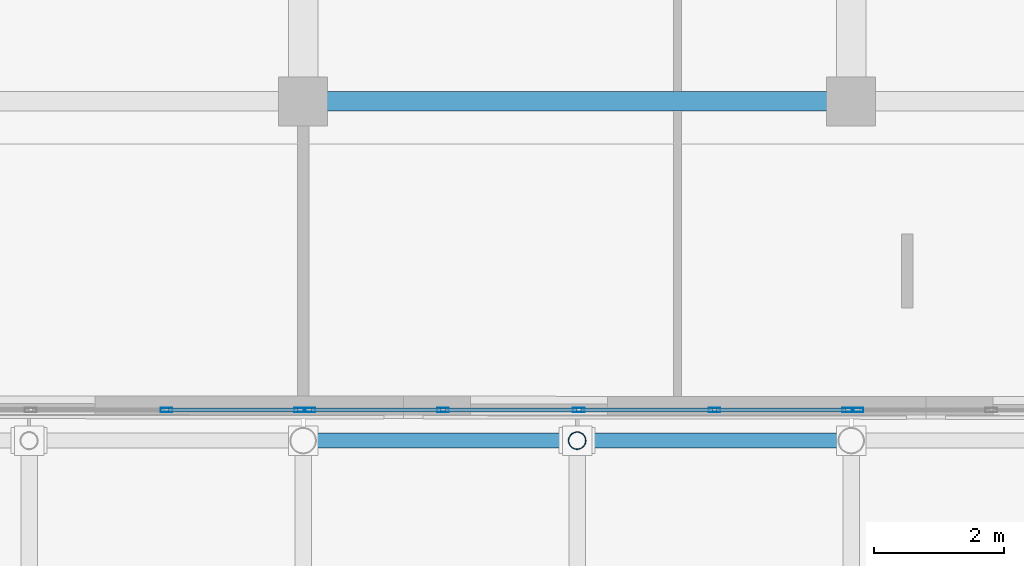
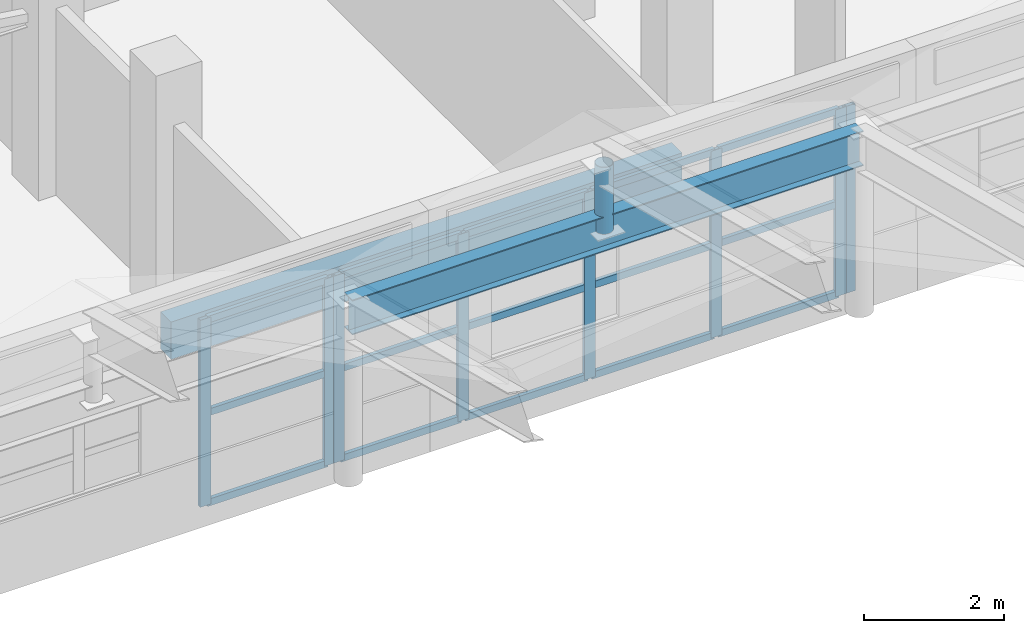
# One storey, part 84 of 184: 24 members, 2 beams, 3 elements without a shape of their own.
"""IFC4 building model written with IfcOpenShell, lengths in metres."""

from ifc_helpers import new_model, si_unit, direction, frame, origin, origin_2d, place, context, subcontext, project, spatial, rectangle, hollow_rectangle, hollow_circle, i_section, extrude, material, material_profile, profile_set, type_object, element, aggregate, save


model = new_model("IFC4")

# Units and contexts
model_context = context("Model", 3, precision=1e-05, world=origin(), true_north=direction((0.0, 1.0)))
body_context = subcontext(model_context, "Body", "Model", "MODEL_VIEW")
ifc_project = project(units=[si_unit("LENGTHUNIT", "METRE"), si_unit("AREAUNIT", "SQUARE_METRE"), si_unit("VOLUMEUNIT", "CUBIC_METRE"), si_unit("PLANEANGLEUNIT", "RADIAN"), si_unit("MASSUNIT", "GRAM", prefix="KILO")], contexts=[model_context])

# Site, building, storey
site_placement = place(None, origin())
site = spatial("IfcSite", under=ifc_project, at=site_placement, CompositionType="ELEMENT")
building_placement = place(site_placement, origin())
building = spatial("IfcBuilding", under=site, at=building_placement, Name="Selatvlak General Hospital", CompositionType="ELEMENT")
storey_placement = place(building_placement, frame((0.0, 0.0, 15.0)))
storey = spatial("IfcBuildingStorey", under=building, at=storey_placement, Name="L03", CompositionType="ELEMENT", Elevation=15.0)

# Beams
ifc_material_1 = material(Name="Steel S355", Category="steel")
ifc_material_profile_1 = material_profile(ifc_material_1, i_section(OverallWidth=0.228271484375, OverallDepth=0.607666015625, WebThickness=0.010986328125, FlangeThickness=0.017333984375, at=origin_2d()), Name="UB 610x229x113")
ifc_profile_set_1 = profile_set([ifc_material_profile_1], Name="Steel S355")
beam_type_1 = type_object("IfcBeamType", Name="BM-RF4", PredefinedType="BEAM", material=ifc_profile_set_1)
beam_1_placement = place(storey_placement, frame((48.0, 83.449951171875, 2.87109375), z_axis=(1.0, 0.0, 0.0), x_axis=(0.0, 1.0, 0.0)))
element("IfcBeam", 1, at=beam_1_placement, inside=storey, type_object=beam_type_1, Name="Folded roof N valley girder 4", PredefinedType="BEAM", context=body_context, shape_type="SweptSolid", body=[
    extrude(i_section(OverallWidth=0.228271484375, OverallDepth=0.607666015625, WebThickness=0.010986328125, FlangeThickness=0.017333984375, at=origin_2d()), origin(), (0.0, 0.0, 1.0), 8.39990234375),
])
ifc_material_2 = material(Name="Concrete C40/50", Category="concrete")
ifc_material_profile_2 = material_profile(ifc_material_2, rectangle(XDim=0.300048828125, YDim=0.64990234375, at=origin_2d()), Name="RC-SP 300x650")
ifc_profile_set_2 = profile_set([ifc_material_profile_2], Name="Concrete C40/50")
beam_type_2 = type_object("IfcBeamType", Name="BM-SP1", PredefinedType="SPANDREL", material=ifc_profile_set_2)
beam_2_placement = place(storey_placement, frame((48.0, 88.64990234375, -0.6650390625), z_axis=(1.0, 0.0, 0.0), x_axis=(0.0, 1.0, 0.0)))
element("IfcBeam", 2, at=beam_2_placement, inside=storey, type_object=beam_type_2, Name="Beam BMR-L03-1186", PredefinedType="SPANDREL", context=body_context, shape_type="SweptSolid", body=[
    extrude(rectangle(XDim=0.300048828125, YDim=0.64990234375, at=origin_2d()), origin(), (0.0, 0.0, 1.0), 8.39990234375),
])

# Curtain wall, members
ifc_material_3 = material(Name="Solar-control Low-E double glazing", Category="glass")
curtain_wall_type = type_object("IfcCurtainWallType", Name="CW-CW-04", PredefinedType="USERDEFINED", material=ifc_material_3)
curtain_wall_1_placement = place(storey_placement, origin())
curtain_wall_1 = element("IfcCurtainWall", 3, at=curtain_wall_1_placement, inside=storey, type_object=curtain_wall_type, Name="Glazed facade curtain wall CW-L03-0718", ObjectType="STICK GLAZING WALL", PredefinedType="USERDEFINED")
ifc_material_4 = material(Name="Dark anodised aluminium mullion", Category="aluminium")
ifc_material_profile_3 = material_profile(ifc_material_4, hollow_rectangle(XDim=0.06494140625, YDim=0.179931640625, WallThickness=0.00439453125, at=origin_2d()), Name="AL-MUL 65x180x4.5")
ifc_profile_set_3 = profile_set([ifc_material_profile_3], Name="Dark anodised aluminium mullion")
member_type_1 = type_object("IfcMemberType", Name="CWM-02", PredefinedType="MULLION", material=ifc_profile_set_3)
member_1_placement = place(storey_placement, frame((45.905029296875, 83.919921875, 0.0), z_axis=(0.0, 0.0, 1.0), x_axis=(0.0, 1.0, 0.0)))
member_1 = element("IfcMember", 4, at=member_1_placement, type_object=member_type_1, Name="CW-04 mullion 4", PredefinedType="MULLION", context=body_context, shape_type="SweptSolid", body=[
    extrude(hollow_rectangle(XDim=0.06494140625, YDim=0.179931640625, WallThickness=0.00439453125, at=origin_2d()), origin(), (0.0, 0.0, 1.0), 3.25),
])
member_2_placement = place(storey_placement, frame((47.952392578125, 83.919921875, 0.0), z_axis=(0.0, 0.0, 1.0), x_axis=(0.0, 1.0, 0.0)))
member_2 = element("IfcMember", 5, at=member_2_placement, type_object=member_type_1, Name="CW-04 mullion 5", PredefinedType="MULLION", context=body_context, shape_type="SweptSolid", body=[
    extrude(hollow_rectangle(XDim=0.06494140625, YDim=0.179931640625, WallThickness=0.00439453125, at=origin_2d()), origin(), (0.0, 0.0, 1.0), 3.25),
])

curtain_wall_2_placement = place(storey_placement, origin())
curtain_wall_2 = element("IfcCurtainWall", 6, at=curtain_wall_2_placement, inside=storey, type_object=curtain_wall_type, Name="Glazed facade curtain wall CW-L03-0719", ObjectType="STICK GLAZING WALL", PredefinedType="USERDEFINED")
member_3_placement = place(storey_placement, frame((48.097412109375, 83.919921875, 0.0), z_axis=(0.0, 0.0, 1.0), x_axis=(0.0, 1.0, 0.0)))
member_3 = element("IfcMember", 7, at=member_3_placement, type_object=member_type_1, Name="CW-04 mullion 1", PredefinedType="MULLION", context=body_context, shape_type="SweptSolid", body=[
    extrude(hollow_rectangle(XDim=0.06494140625, YDim=0.179931640625, WallThickness=0.00439453125, at=origin_2d()), origin(), (0.0, 0.0, 1.0), 3.25),
])
member_4_placement = place(storey_placement, frame((50.14501953125, 83.919921875, 0.0), z_axis=(0.0, 0.0, 1.0), x_axis=(0.0, 1.0, 0.0)))
member_4 = element("IfcMember", 8, at=member_4_placement, type_object=member_type_1, Name="CW-04 mullion 2", PredefinedType="MULLION", context=body_context, shape_type="SweptSolid", body=[
    extrude(hollow_rectangle(XDim=0.06494140625, YDim=0.179931640625, WallThickness=0.00439453125, at=origin_2d()), origin(), (0.0, 0.0, 1.0), 3.25),
])
member_5_placement = place(storey_placement, frame((52.22509765625, 83.919921875, 0.0), z_axis=(0.0, 0.0, 1.0), x_axis=(0.0, 1.0, 0.0)))
member_5 = element("IfcMember", 9, at=member_5_placement, type_object=member_type_1, Name="CW-04 mullion 3", PredefinedType="MULLION", context=body_context, shape_type="SweptSolid", body=[
    extrude(hollow_rectangle(XDim=0.06494140625, YDim=0.179931640625, WallThickness=0.00439453125, at=origin_2d()), origin(), (0.0, 0.0, 1.0), 3.25),
])
member_6_placement = place(storey_placement, frame((54.304931640625, 83.919921875, 0.0), z_axis=(0.0, 0.0, 1.0), x_axis=(0.0, 1.0, 0.0)))
member_6 = element("IfcMember", 10, at=member_6_placement, type_object=member_type_1, Name="CW-04 mullion 4", PredefinedType="MULLION", context=body_context, shape_type="SweptSolid", body=[
    extrude(hollow_rectangle(XDim=0.06494140625, YDim=0.179931640625, WallThickness=0.00439453125, at=origin_2d()), origin(), (0.0, 0.0, 1.0), 3.25),
])
member_7_placement = place(storey_placement, frame((56.3525390625, 83.919921875, 0.0), z_axis=(0.0, 0.0, 1.0), x_axis=(0.0, 1.0, 0.0)))
member_7 = element("IfcMember", 11, at=member_7_placement, type_object=member_type_1, Name="CW-04 mullion 5", PredefinedType="MULLION", context=body_context, shape_type="SweptSolid", body=[
    extrude(hollow_rectangle(XDim=0.06494140625, YDim=0.179931640625, WallThickness=0.00439453125, at=origin_2d()), origin(), (0.0, 0.0, 1.0), 3.25),
])

# Curtain wall, member
curtain_wall_3_placement = place(storey_placement, origin())
curtain_wall_3 = element("IfcCurtainWall", 12, at=curtain_wall_3_placement, inside=storey, type_object=curtain_wall_type, Name="Glazed facade curtain wall CW-L03-0720", ObjectType="STICK GLAZING WALL", PredefinedType="USERDEFINED")
member_8_placement = place(storey_placement, frame((56.49755859375, 83.919921875, 0.0), z_axis=(0.0, 0.0, 1.0), x_axis=(0.0, 1.0, 0.0)))
member_8 = element("IfcMember", 13, at=member_8_placement, type_object=member_type_1, Name="CW-04 mullion 1", PredefinedType="MULLION", context=body_context, shape_type="SweptSolid", body=[
    extrude(hollow_rectangle(XDim=0.06494140625, YDim=0.179931640625, WallThickness=0.00439453125, at=origin_2d()), origin(), (0.0, 0.0, 1.0), 3.25),
])
aggregate(curtain_wall_3, [member_8])

# Member
ifc_material_profile_4 = material_profile(ifc_material_4, hollow_rectangle(XDim=0.06494140625, YDim=0.1201171875, WallThickness=0.00390625, at=origin_2d()), Name="AL-TRN 65x120x4")
ifc_profile_set_4 = profile_set([ifc_material_profile_4], Name="Dark anodised aluminium mullion")
member_type_2 = type_object("IfcMemberType", Name="CWT-01", PredefinedType="USERDEFINED", material=ifc_profile_set_4)
member_9_placement = place(storey_placement, frame((45.9375, 83.919921875, 0.032470703125), z_axis=(1.0, 0.0, 0.0), x_axis=(0.0, 1.0, 0.0)))
member_9 = element("IfcMember", 14, at=member_9_placement, type_object=member_type_2, Name="CW-04 transom 4.1", ObjectType="TRANSOM", PredefinedType="USERDEFINED", context=body_context, shape_type="SweptSolid", body=[
    extrude(hollow_rectangle(XDim=0.06494140625, YDim=0.1201171875, WallThickness=0.00390625, at=origin_2d()), origin(), (0.0, 0.0, 1.0), 1.982421875),
])

member_10_placement = place(storey_placement, frame((45.9375, 83.919921875, 1.60009765625), z_axis=(1.0, 0.0, 0.0), x_axis=(0.0, 1.0, 0.0)))
member_10 = element("IfcMember", 15, at=member_10_placement, type_object=member_type_2, Name="CW-04 transom 4.2", ObjectType="TRANSOM", PredefinedType="USERDEFINED", context=body_context, shape_type="SweptSolid", body=[
    extrude(hollow_rectangle(XDim=0.06494140625, YDim=0.1201171875, WallThickness=0.00390625, at=origin_2d()), origin(), (0.0, 0.0, 1.0), 1.982421875),
])

member_11_placement = place(storey_placement, frame((45.9375, 83.919921875, 3.217529296875), z_axis=(1.0, 0.0, 0.0), x_axis=(0.0, 1.0, 0.0)))
member_11 = element("IfcMember", 16, at=member_11_placement, type_object=member_type_2, Name="CW-04 transom 4.3", ObjectType="TRANSOM", PredefinedType="USERDEFINED", context=body_context, shape_type="SweptSolid", body=[
    extrude(hollow_rectangle(XDim=0.06494140625, YDim=0.1201171875, WallThickness=0.00390625, at=origin_2d()), origin(), (0.0, 0.0, 1.0), 1.982421875),
])

aggregate(curtain_wall_1, [member_1, member_2, member_9, member_10, member_11])

member_12_placement = place(storey_placement, frame((48.1298828125, 83.919921875, 0.032470703125), z_axis=(1.0, 0.0, 0.0), x_axis=(0.0, 1.0, 0.0)))
member_12 = element("IfcMember", 17, at=member_12_placement, type_object=member_type_2, Name="CW-04 transom 1.1", ObjectType="TRANSOM", PredefinedType="USERDEFINED", context=body_context, shape_type="SweptSolid", body=[
    extrude(hollow_rectangle(XDim=0.06494140625, YDim=0.1201171875, WallThickness=0.00390625, at=origin_2d()), origin(), (0.0, 0.0, 1.0), 1.982666015625),
])

member_13_placement = place(storey_placement, frame((48.1298828125, 83.919921875, 1.60009765625), z_axis=(1.0, 0.0, 0.0), x_axis=(0.0, 1.0, 0.0)))
member_13 = element("IfcMember", 18, at=member_13_placement, type_object=member_type_2, Name="CW-04 transom 1.2", ObjectType="TRANSOM", PredefinedType="USERDEFINED", context=body_context, shape_type="SweptSolid", body=[
    extrude(hollow_rectangle(XDim=0.06494140625, YDim=0.1201171875, WallThickness=0.00390625, at=origin_2d()), origin(), (0.0, 0.0, 1.0), 1.982666015625),
])

member_14_placement = place(storey_placement, frame((48.1298828125, 83.919921875, 3.217529296875), z_axis=(1.0, 0.0, 0.0), x_axis=(0.0, 1.0, 0.0)))
member_14 = element("IfcMember", 19, at=member_14_placement, type_object=member_type_2, Name="CW-04 transom 1.3", ObjectType="TRANSOM", PredefinedType="USERDEFINED", context=body_context, shape_type="SweptSolid", body=[
    extrude(hollow_rectangle(XDim=0.06494140625, YDim=0.1201171875, WallThickness=0.00390625, at=origin_2d()), origin(), (0.0, 0.0, 1.0), 1.982666015625),
])

member_15_placement = place(storey_placement, frame((50.177490234375, 83.919921875, 0.032470703125), z_axis=(1.0, 0.0, 0.0), x_axis=(0.0, 1.0, 0.0)))
member_15 = element("IfcMember", 20, at=member_15_placement, type_object=member_type_2, Name="CW-04 transom 2.1", ObjectType="TRANSOM", PredefinedType="USERDEFINED", context=body_context, shape_type="SweptSolid", body=[
    extrude(hollow_rectangle(XDim=0.06494140625, YDim=0.1201171875, WallThickness=0.00390625, at=origin_2d()), origin(), (0.0, 0.0, 1.0), 2.014892578125),
])

member_16_placement = place(storey_placement, frame((50.177490234375, 83.919921875, 1.60009765625), z_axis=(1.0, 0.0, 0.0), x_axis=(0.0, 1.0, 0.0)))
member_16 = element("IfcMember", 21, at=member_16_placement, type_object=member_type_2, Name="CW-04 transom 2.2", ObjectType="TRANSOM", PredefinedType="USERDEFINED", context=body_context, shape_type="SweptSolid", body=[
    extrude(hollow_rectangle(XDim=0.06494140625, YDim=0.1201171875, WallThickness=0.00390625, at=origin_2d()), origin(), (0.0, 0.0, 1.0), 2.014892578125),
])

member_17_placement = place(storey_placement, frame((50.177490234375, 83.919921875, 3.217529296875), z_axis=(1.0, 0.0, 0.0), x_axis=(0.0, 1.0, 0.0)))
member_17 = element("IfcMember", 22, at=member_17_placement, type_object=member_type_2, Name="CW-04 transom 2.3", ObjectType="TRANSOM", PredefinedType="USERDEFINED", context=body_context, shape_type="SweptSolid", body=[
    extrude(hollow_rectangle(XDim=0.06494140625, YDim=0.1201171875, WallThickness=0.00390625, at=origin_2d()), origin(), (0.0, 0.0, 1.0), 2.014892578125),
])

member_18_placement = place(storey_placement, frame((52.257568359375, 83.919921875, 0.032470703125), z_axis=(1.0, 0.0, 0.0), x_axis=(0.0, 1.0, 0.0)))
member_18 = element("IfcMember", 23, at=member_18_placement, type_object=member_type_2, Name="CW-04 transom 3.1", ObjectType="TRANSOM", PredefinedType="USERDEFINED", context=body_context, shape_type="SweptSolid", body=[
    extrude(hollow_rectangle(XDim=0.06494140625, YDim=0.1201171875, WallThickness=0.00390625, at=origin_2d()), origin(), (0.0, 0.0, 1.0), 2.014892578125),
])

member_19_placement = place(storey_placement, frame((52.257568359375, 83.919921875, 1.60009765625), z_axis=(1.0, 0.0, 0.0), x_axis=(0.0, 1.0, 0.0)))
member_19 = element("IfcMember", 24, at=member_19_placement, type_object=member_type_2, Name="CW-04 transom 3.2", ObjectType="TRANSOM", PredefinedType="USERDEFINED", context=body_context, shape_type="SweptSolid", body=[
    extrude(hollow_rectangle(XDim=0.06494140625, YDim=0.1201171875, WallThickness=0.00390625, at=origin_2d()), origin(), (0.0, 0.0, 1.0), 2.014892578125),
])

member_20_placement = place(storey_placement, frame((52.257568359375, 83.919921875, 3.217529296875), z_axis=(1.0, 0.0, 0.0), x_axis=(0.0, 1.0, 0.0)))
member_20 = element("IfcMember", 25, at=member_20_placement, type_object=member_type_2, Name="CW-04 transom 3.3", ObjectType="TRANSOM", PredefinedType="USERDEFINED", context=body_context, shape_type="SweptSolid", body=[
    extrude(hollow_rectangle(XDim=0.06494140625, YDim=0.1201171875, WallThickness=0.00390625, at=origin_2d()), origin(), (0.0, 0.0, 1.0), 2.014892578125),
])

member_21_placement = place(storey_placement, frame((54.33740234375, 83.919921875, 0.032470703125), z_axis=(1.0, 0.0, 0.0), x_axis=(0.0, 1.0, 0.0)))
member_21 = element("IfcMember", 26, at=member_21_placement, type_object=member_type_2, Name="CW-04 transom 4.1", ObjectType="TRANSOM", PredefinedType="USERDEFINED", context=body_context, shape_type="SweptSolid", body=[
    extrude(hollow_rectangle(XDim=0.06494140625, YDim=0.1201171875, WallThickness=0.00390625, at=origin_2d()), origin(), (0.0, 0.0, 1.0), 1.982666015625),
])

member_22_placement = place(storey_placement, frame((54.33740234375, 83.919921875, 1.60009765625), z_axis=(1.0, 0.0, 0.0), x_axis=(0.0, 1.0, 0.0)))
member_22 = element("IfcMember", 27, at=member_22_placement, type_object=member_type_2, Name="CW-04 transom 4.2", ObjectType="TRANSOM", PredefinedType="USERDEFINED", context=body_context, shape_type="SweptSolid", body=[
    extrude(hollow_rectangle(XDim=0.06494140625, YDim=0.1201171875, WallThickness=0.00390625, at=origin_2d()), origin(), (0.0, 0.0, 1.0), 1.982666015625),
])

member_23_placement = place(storey_placement, frame((54.33740234375, 83.919921875, 3.217529296875), z_axis=(1.0, 0.0, 0.0), x_axis=(0.0, 1.0, 0.0)))
member_23 = element("IfcMember", 28, at=member_23_placement, type_object=member_type_2, Name="CW-04 transom 4.3", ObjectType="TRANSOM", PredefinedType="USERDEFINED", context=body_context, shape_type="SweptSolid", body=[
    extrude(hollow_rectangle(XDim=0.06494140625, YDim=0.1201171875, WallThickness=0.00390625, at=origin_2d()), origin(), (0.0, 0.0, 1.0), 1.982666015625),
])

aggregate(curtain_wall_2, [member_3, member_4, member_5, member_6, member_7, member_12, member_13, member_14, member_15, member_16, member_17, member_18, member_19, member_20, member_21, member_22, member_23])

ifc_material_profile_5 = material_profile(ifc_material_1, hollow_circle(Radius=0.136474609375, WallThickness=0.010009765625, at=origin_2d()), Name="CHS 273.0x10")
ifc_profile_set_5 = profile_set([ifc_material_profile_5], Name="Steel S355")
member_type_3 = type_object("IfcMemberType", Name="MEM-ST1", PredefinedType="STRUT", material=ifc_profile_set_5)
member_24_placement = place(storey_placement, frame((52.199951171875, 83.449951171875, 2.87109375), z_axis=(0.0, 0.0, 1.0), x_axis=(1.0, 0.0, 0.0)))
element("IfcMember", 29, at=member_24_placement, inside=storey, type_object=member_type_3, Name="Folded roof ridge kingpost N-7", PredefinedType="STRUT", context=body_context, shape_type="SweptSolid", body=[
    extrude(hollow_circle(Radius=0.136474609375, WallThickness=0.010009765625, at=origin_2d()), origin(), (0.0, 0.0, 1.0), 1.161865234375),
])

save(model, "model.ifc")
